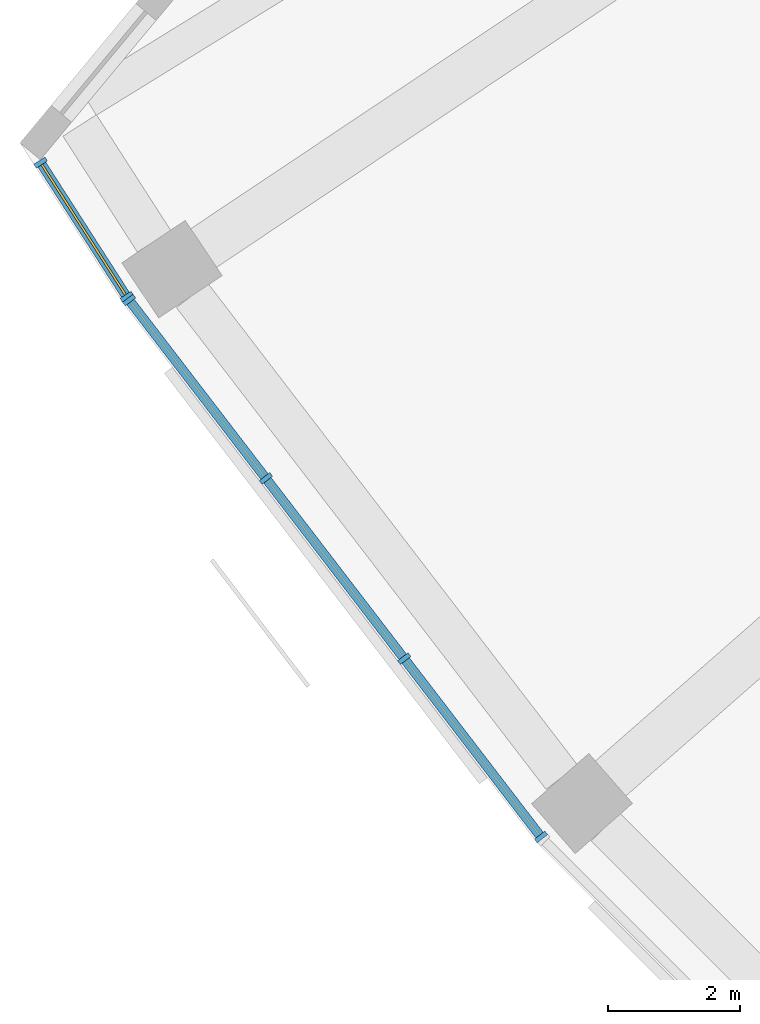
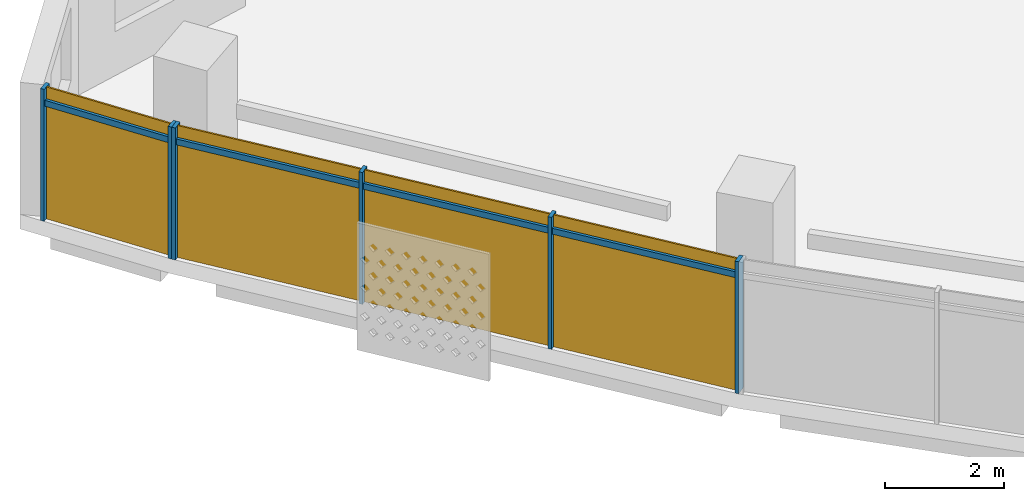
# One storey, part 20 of 28: 10 members, 2 curtain walls.
"""IFC4 building model written with IfcOpenShell, lengths in metres."""

from ifc_helpers import new_model, si_unit, direction, frame, origin, origin_2d, place, context, subcontext, project, spatial, rectangle, extrude, material, material_profile, profile_set, type_object, element, aggregate, save


model = new_model("IFC4")

# Units and contexts
model_context = context("Model", 3, precision=1e-05, world=origin(), true_north=direction((0.0, 1.0)))
body_context = subcontext(model_context, "Body", "Model", "MODEL_VIEW")
ifc_project = project(units=[si_unit("LENGTHUNIT", "METRE"), si_unit("AREAUNIT", "SQUARE_METRE"), si_unit("VOLUMEUNIT", "CUBIC_METRE"), si_unit("PLANEANGLEUNIT", "RADIAN"), si_unit("MASSUNIT", "GRAM", prefix="KILO")], contexts=[model_context])

# Member
ifc_material = material(Name="Aluminium 6063-T6 anodised", Category="aluminium")
ifc_material_profile_1 = material_profile(ifc_material, rectangle(XDim=0.199951171875, YDim=0.070068359375, at=origin_2d()))
ifc_profile_set_1 = profile_set([ifc_material_profile_1], Name="Aluminium 6063-T6 anodised")
member_type_1 = type_object("IfcMemberType", Name="Mullion 70 x 200 aluminium", PredefinedType="MULLION", material=ifc_profile_set_1)
site_placement = place(None, origin())
building_placement = place(site_placement, origin())
storey_placement = place(building_placement, frame((0.0, 0.0, 230.300048828125)))
member_1_placement = place(storey_placement, frame((-66.630126953125, -41.587158203125, 0.0), z_axis=(0.0, 0.0, 1.0), x_axis=(0.841438709964, 0.540352567658, 0.0)))
member_1 = element("IfcMember", 1, at=member_1_placement, type_object=member_type_1, Name="e-cw1-L55-out00/M00", PredefinedType="MULLION", context=body_context, shape_type="SweptSolid", body=[
    extrude(rectangle(XDim=0.199951171875, YDim=0.070068359375, at=origin_2d()), origin(), (0.0, 0.0, 1.0), 2.699951171875),
])

member_2_placement = place(storey_placement, frame((-65.329833984375, -43.612060546875, 0.0), z_axis=(0.0, 0.0, 1.0), x_axis=(0.841438709964, 0.540352567658, 0.0)))
member_2 = element("IfcMember", 2, at=member_2_placement, type_object=member_type_1, Name="e-cw1-L55-out00/M01", PredefinedType="MULLION", context=body_context, shape_type="SweptSolid", body=[
    extrude(rectangle(XDim=0.199951171875, YDim=0.070068359375, at=origin_2d()), origin(), (0.0, 0.0, 1.0), 2.699951171875),
])

member_3_placement = place(storey_placement, frame((-65.29443359375, -43.66259765625, 0.0), z_axis=(0.0, 0.0, 1.0), x_axis=(0.793353340291, 0.608761429009, 0.0)))
member_3 = element("IfcMember", 3, at=member_3_placement, type_object=member_type_1, Name="e-cw1-L55-out01/M00", PredefinedType="MULLION", context=body_context, shape_type="SweptSolid", body=[
    extrude(rectangle(XDim=0.199951171875, YDim=0.070068359375, at=origin_2d()), origin(), (0.0, 0.0, 1.0), 2.699951171875),
])

member_4_placement = place(storey_placement, frame((-63.22802734375, -46.35546875, 0.0), z_axis=(0.0, 0.0, 1.0), x_axis=(0.793353340291, 0.608761429009, 0.0)))
member_4 = element("IfcMember", 4, at=member_4_placement, type_object=member_type_1, Name="e-cw1-L55-out01/M01", PredefinedType="MULLION", context=body_context, shape_type="SweptSolid", body=[
    extrude(rectangle(XDim=0.199951171875, YDim=0.070068359375, at=origin_2d()), origin(), (0.0, 0.0, 1.0), 2.699951171875),
])

member_5_placement = place(storey_placement, frame((-61.140380859375, -49.075927734375, 0.0), z_axis=(0.0, 0.0, 1.0), x_axis=(0.793353340291, 0.608761429009, 0.0)))
member_5 = element("IfcMember", 5, at=member_5_placement, type_object=member_type_1, Name="e-cw1-L55-out01/M02", PredefinedType="MULLION", context=body_context, shape_type="SweptSolid", body=[
    extrude(rectangle(XDim=0.199951171875, YDim=0.070068359375, at=origin_2d()), origin(), (0.0, 0.0, 1.0), 2.699951171875),
])

member_6_placement = place(storey_placement, frame((-59.07421875, -51.768798828125, 0.0), z_axis=(0.0, 0.0, 1.0), x_axis=(0.793353340291, 0.608761429009, 0.0)))
member_6 = element("IfcMember", 6, at=member_6_placement, type_object=member_type_1, Name="e-cw1-L55-out01/M03", PredefinedType="MULLION", context=body_context, shape_type="SweptSolid", body=[
    extrude(rectangle(XDim=0.199951171875, YDim=0.070068359375, at=origin_2d()), origin(), (0.0, 0.0, 1.0), 2.699951171875),
])

ifc_material_profile_2 = material_profile(ifc_material, rectangle(XDim=0.139892578125, YDim=0.1201171875, at=origin_2d()))
ifc_profile_set_2 = profile_set([ifc_material_profile_2], Name="Aluminium 6063-T6 anodised")
member_type_2 = type_object("IfcMemberType", Name="Transom 120 x 140 aluminium", PredefinedType="USERDEFINED", material=ifc_profile_set_2)
member_7_placement = place(storey_placement, frame((-66.611328125, -41.61669921875, 2.39990234375), z_axis=(0.540319186871, -0.841460145402, 0.0), x_axis=(0.841460145402, 0.540319186871, 0.0)))
member_7 = element("IfcMember", 7, at=member_7_placement, type_object=member_type_2, Name="e-cw1-L55-out00/T00", ObjectType="TRANSOM", PredefinedType="USERDEFINED", context=body_context, shape_type="SweptSolid", body=[
    extrude(rectangle(XDim=0.139892578125, YDim=0.1201171875, at=origin_2d()), origin(), (0.0, 0.0, 1.0), 2.33642578125),
])

member_8_placement = place(storey_placement, frame((-65.273193359375, -43.690185546875, 2.39990234375), z_axis=(0.608741393132, -0.793368713958, 0.0), x_axis=(0.793368713958, 0.608741393132, 0.0)))
member_8 = element("IfcMember", 8, at=member_8_placement, type_object=member_type_2, Name="e-cw1-L55-out01/T00", ObjectType="TRANSOM", PredefinedType="USERDEFINED", context=body_context, shape_type="SweptSolid", body=[
    extrude(rectangle(XDim=0.139892578125, YDim=0.1201171875, at=origin_2d()), origin(), (0.0, 0.0, 1.0), 3.324462890625),
])

member_9_placement = place(storey_placement, frame((-63.206787109375, -46.383056640625, 2.39990234375), z_axis=(0.608719861247, -0.793385234627, 0.0), x_axis=(0.793385234627, 0.608719861247, 0.0)))
member_9 = element("IfcMember", 9, at=member_9_placement, type_object=member_type_2, Name="e-cw1-L55-out01/T01", ObjectType="TRANSOM", PredefinedType="USERDEFINED", context=body_context, shape_type="SweptSolid", body=[
    extrude(rectangle(XDim=0.139892578125, YDim=0.1201171875, at=origin_2d()), origin(), (0.0, 0.0, 1.0), 3.359375),
])

member_10_placement = place(storey_placement, frame((-61.119140625, -49.103759765625, 2.39990234375), z_axis=(0.608741393132, -0.793368713958, 0.0), x_axis=(0.793368713958, 0.608741393132, 0.0)))
member_10 = element("IfcMember", 10, at=member_10_placement, type_object=member_type_2, Name="e-cw1-L55-out01/T02", ObjectType="TRANSOM", PredefinedType="USERDEFINED", context=body_context, shape_type="SweptSolid", body=[
    extrude(rectangle(XDim=0.139892578125, YDim=0.1201171875, at=origin_2d()), origin(), (0.0, 0.0, 1.0), 3.324462890625),
])

# Site, building, storey
site = spatial("IfcSite", under=ifc_project, at=site_placement, CompositionType="ELEMENT")
building = spatial("IfcBuilding", under=site, at=building_placement, Name="Qamariyya Broadcast Tower", CompositionType="ELEMENT")
storey = spatial("IfcBuildingStorey", under=building, at=storey_placement, Name="L55", CompositionType="ELEMENT", Elevation=230.300048828125)

# Curtain wall
curtain_wall_type = type_object("IfcCurtainWallType", Name="Unitised curtain wall, anodised aluminium", PredefinedType="NOTDEFINED", material=ifc_material)
curtain_wall_1_placement = place(storey_placement, origin())
curtain_wall_1 = element("IfcCurtainWall", 11, at=curtain_wall_1_placement, inside=storey, type_object=curtain_wall_type, Name="e-cw1-L55-out00", PredefinedType="NOTDEFINED", context=body_context, shape_type="SweptSolid", body=[
    extrude(rectangle(XDim=2.336669921875, YDim=0.031982421875, at=origin_2d()), frame((-65.97998046875, -42.599609375, 0.0), x_axis=(0.540309106575, -0.841466618085, 0.0)), (0.0, 0.0, 1.0), 2.340087890625),
    extrude(rectangle(XDim=2.336669921875, YDim=0.031982421875, at=origin_2d()), frame((-65.97998046875, -42.599609375, 2.4599609375), x_axis=(0.540309106575, -0.841466618085, 0.0)), (0.0, 0.0, 1.0), 0.239990234375),
])

aggregate(curtain_wall_1, [member_1, member_2, member_7])

curtain_wall_2_placement = place(storey_placement, origin())
curtain_wall_2 = element("IfcCurtainWall", 12, at=curtain_wall_2_placement, inside=storey, type_object=curtain_wall_type, Name="e-cw1-L55-out01", PredefinedType="NOTDEFINED", context=body_context, shape_type="SweptSolid", body=[
    extrude(rectangle(XDim=3.32421875, YDim=0.031982421875, at=origin_2d()), frame((-64.26123046875, -45.009033203125, 0.0), x_axis=(0.608753833159, -0.793359168734, 0.0)), (0.0, 0.0, 1.0), 2.340087890625),
    extrude(rectangle(XDim=3.32421875, YDim=0.031982421875, at=origin_2d()), frame((-64.26123046875, -45.009033203125, 2.4599609375), x_axis=(0.608753833159, -0.793359168734, 0.0)), (0.0, 0.0, 1.0), 0.239990234375),
    extrude(rectangle(XDim=3.359130859375, YDim=0.031982421875, at=origin_2d()), frame((-62.184326171875, -47.7158203125, 0.0), x_axis=(0.608753833159, -0.793359168734, 0.0)), (0.0, 0.0, 1.0), 2.340087890625),
    extrude(rectangle(XDim=3.359130859375, YDim=0.031982421875, at=origin_2d()), frame((-62.184326171875, -47.7158203125, 2.4599609375), x_axis=(0.608753833159, -0.793359168734, 0.0)), (0.0, 0.0, 1.0), 0.239990234375),
    extrude(rectangle(XDim=3.32421875, YDim=0.031982421875, at=origin_2d()), frame((-60.107421875, -50.42236328125, 0.0), x_axis=(0.608753833159, -0.793359168734, 0.0)), (0.0, 0.0, 1.0), 2.340087890625),
    extrude(rectangle(XDim=3.32421875, YDim=0.031982421875, at=origin_2d()), frame((-60.107421875, -50.42236328125, 2.4599609375), x_axis=(0.608753833159, -0.793359168734, 0.0)), (0.0, 0.0, 1.0), 0.239990234375),
])

aggregate(curtain_wall_2, [member_3, member_4, member_5, member_6, member_8, member_9, member_10])

save(model, "model.ifc")
